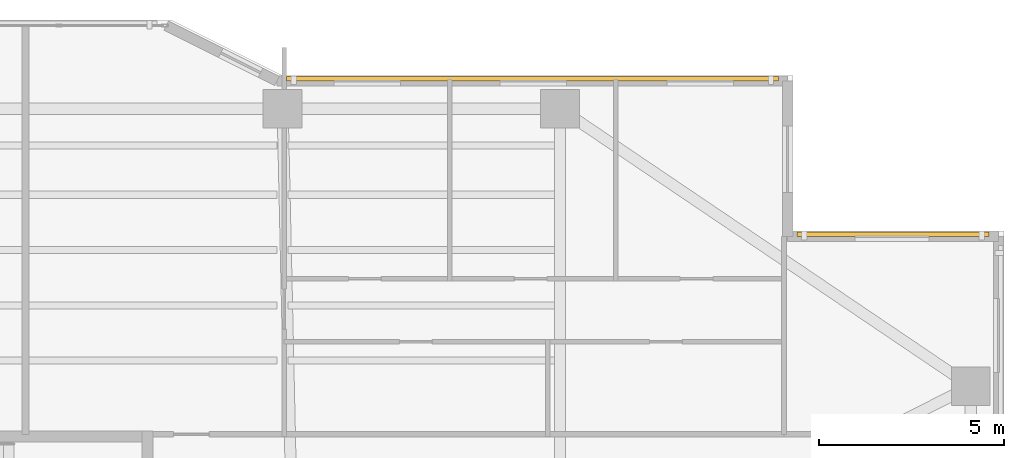
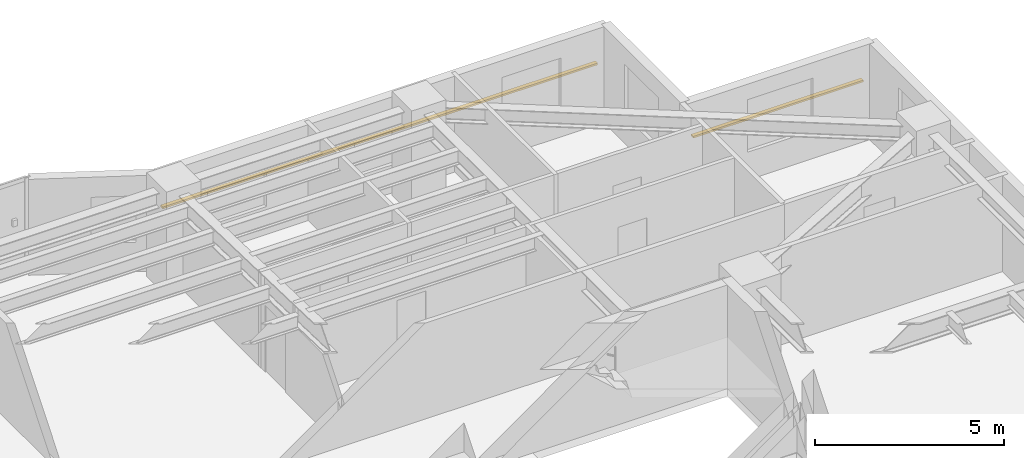
# One storey, part 18 of 18: 2 shading devices.
"""IFC4 building model written with IfcOpenShell, lengths in metres."""

from ifc_helpers import new_model, si_unit, direction, frame, origin, origin_2d, place, context, subcontext, project, spatial, rectangle, extrude, material, material_profile, profile_set, type_object, element, save


model = new_model("IFC4")

# Units and contexts
model_context = context("Model", 3, precision=1e-05, world=origin(), true_north=direction((0.0, 1.0)))
body_context = subcontext(model_context, "Body", "Model", "MODEL_VIEW")
ifc_project = project(units=[si_unit("LENGTHUNIT", "METRE"), si_unit("AREAUNIT", "SQUARE_METRE"), si_unit("VOLUMEUNIT", "CUBIC_METRE"), si_unit("PLANEANGLEUNIT", "RADIAN"), si_unit("MASSUNIT", "GRAM", prefix="KILO")], contexts=[model_context])

# Site, building, storey
site_placement = place(None, origin())
site = spatial("IfcSite", under=ifc_project, at=site_placement, CompositionType="ELEMENT")
building_placement = place(site_placement, origin())
building = spatial("IfcBuilding", under=site, at=building_placement, Name="Tarnavaz Court Tower", CompositionType="ELEMENT")
storey_placement = place(building_placement, frame((0.0, 0.0, 88.35009765625)))
storey = spatial("IfcBuildingStorey", under=building, at=storey_placement, Name="L23", CompositionType="ELEMENT", Elevation=88.35009765625)

# Shading devices
ifc_material = material(Name="Kiln-Fired Khorasan Terracotta Ceramic", Category="masonry")
ifc_material_profile = material_profile(ifc_material, rectangle(XDim=0.1201171875, YDim=0.06005859375, at=origin_2d()), Name="TC BAGUETTE 120X60")
ifc_profile_set = profile_set([ifc_material_profile], Name="Kiln-Fired Khorasan Terracotta Ceramic")
shading_device_type = type_object("IfcShadingDeviceType", Name="SD-BAG-120", PredefinedType="USERDEFINED", material=ifc_profile_set)
shading_device_1_placement = place(storey_placement, frame((7.60009765625, 22.110107421875, 1.849853515625), z_axis=(1.0, 0.0, 0.0), x_axis=(0.0, 1.0, 0.0)))
element("IfcShadingDevice", 1, at=shading_device_1_placement, inside=storey, type_object=shading_device_type, Name="L23 Terracotta Baguette Screen FBG09", ObjectType="BAGUETTE", PredefinedType="USERDEFINED", context=body_context, shape_type="SweptSolid", body=[
    extrude(rectangle(XDim=0.1201171875, YDim=0.06005859375, at=origin_2d()), origin(), (0.0, 0.0, 1.0), 13.2998046875),
])
shading_device_2_placement = place(storey_placement, frame((21.39990234375, 17.909912109375, 1.849853515625), z_axis=(1.0, 0.0, 0.0), x_axis=(0.0, 1.0, 0.0)))
element("IfcShadingDevice", 2, at=shading_device_2_placement, inside=storey, type_object=shading_device_type, Name="L23 Terracotta Baguette Screen FBG11", ObjectType="BAGUETTE", PredefinedType="USERDEFINED", context=body_context, shape_type="SweptSolid", body=[
    extrude(rectangle(XDim=0.1201171875, YDim=0.06005859375, at=origin_2d()), origin(), (0.0, 0.0, 1.0), 5.2001953125),
])

save(model, "model.ifc")
